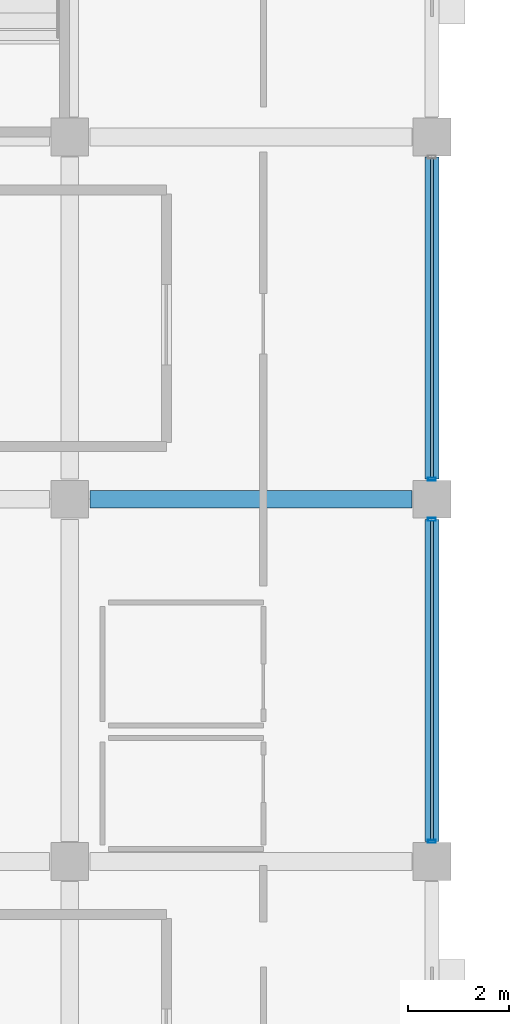
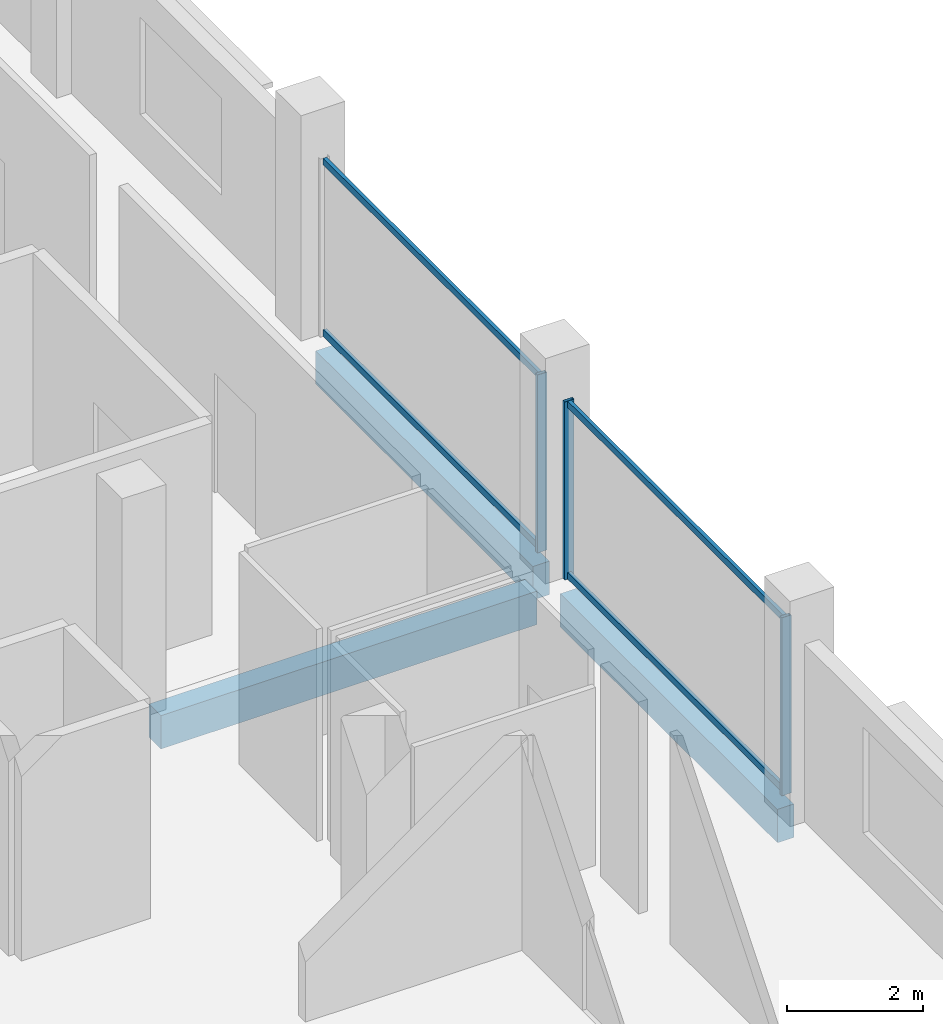
# One storey, part 10 of 91: 7 members, 3 beams, 2 elements without a shape of their own.
"""IFC4 building model written with IfcOpenShell, lengths in metres."""

from ifc_helpers import new_model, si_unit, direction, frame, origin, origin_2d, place, context, subcontext, project, spatial, rectangle, hollow_rectangle, extrude, material, layer, layer_set, material_profile, profile_set, type_object, element, aggregate, save


model = new_model("IFC4")

# Units and contexts
model_context = context("Model", 3, precision=1e-05, world=origin(), true_north=direction((0.0, 1.0)))
body_context = subcontext(model_context, "Body", "Model", "MODEL_VIEW")
ifc_project = project(units=[si_unit("LENGTHUNIT", "METRE"), si_unit("AREAUNIT", "SQUARE_METRE"), si_unit("VOLUMEUNIT", "CUBIC_METRE"), si_unit("PLANEANGLEUNIT", "RADIAN"), si_unit("MASSUNIT", "GRAM", prefix="KILO")], contexts=[model_context])

# Site, building, storey
site_placement = place(None, origin())
site = spatial("IfcSite", under=ifc_project, at=site_placement, CompositionType="ELEMENT")
building_placement = place(site_placement, origin())
building = spatial("IfcBuilding", under=site, at=building_placement, Name="Kangsadwip Square Police Headquarters", CompositionType="ELEMENT")
storey_placement = place(building_placement, frame((0.0, 0.0, 13.5)))
storey = spatial("IfcBuildingStorey", under=building, at=storey_placement, Name="L03", CompositionType="ELEMENT", Elevation=13.5)

# Curtain wall, members
ifc_material_1 = material(Name="Thermally broken anodised aluminium AW-6063-T6", Category="aluminium")
ifc_layer = layer(ifc_material_1, 0.159912109375)
ifc_layer_set = layer_set([ifc_layer], Name="Thermally broken anodised aluminium AW-6063-T6")
curtain_wall_type = type_object("IfcCurtainWallType", Name="CourtScreen6460x3200", PredefinedType="USERDEFINED", material=ifc_layer_set)
curtain_wall_1_placement = place(storey_placement, origin())
curtain_wall_1 = element("IfcCurtainWall", 1, at=curtain_wall_1_placement, inside=storey, type_object=curtain_wall_type, Name="Curtain Wall CW-L03-0216-0580", ObjectType="GLAZED_SCREEN", PredefinedType="USERDEFINED")
ifc_material_2 = material(Name="Thermally broken anodised aluminium AW-6063-T6", Category="aluminium")
ifc_material_profile_1 = material_profile(ifc_material_2, hollow_rectangle(XDim=0.06005859375, YDim=0.159912109375, WallThickness=0.00390625, at=origin_2d()), Name="CWM 160X60X4")
ifc_profile_set_1 = profile_set([ifc_material_profile_1], Name="Thermally broken anodised aluminium AW-6063-T6")
member_type_1 = type_object("IfcMemberType", Name="CwMullion135x60", PredefinedType="MULLION", material=ifc_profile_set_1)
member_1_placement = place(storey_placement, frame((21.60009765625, 58.0, 0.0), z_axis=(0.0, 0.0, 1.0), x_axis=(0.0, 1.0, 0.0)))
member_1 = element("IfcMember", 2, at=member_1_placement, type_object=member_type_1, Name="CW-16 mullion 1", PredefinedType="MULLION", context=body_context, shape_type="SweptSolid", body=[
    extrude(hollow_rectangle(XDim=0.06005859375, YDim=0.159912109375, WallThickness=0.00390625, at=origin_2d()), origin(), (0.0, 0.0, 1.0), 3.199951171875),
])
member_2_placement = place(storey_placement, frame((21.60009765625, 64.39990234375, 0.0), z_axis=(0.0, 0.0, 1.0), x_axis=(0.0, 1.0, 0.0)))
member_2 = element("IfcMember", 3, at=member_2_placement, type_object=member_type_1, Name="CW-16 mullion 2", PredefinedType="MULLION", context=body_context, shape_type="SweptSolid", body=[
    extrude(hollow_rectangle(XDim=0.06005859375, YDim=0.159912109375, WallThickness=0.00390625, at=origin_2d()), origin(), (0.0, 0.0, 1.0), 3.199951171875),
])

# Curtain wall, member
curtain_wall_2_placement = place(storey_placement, origin())
curtain_wall_2 = element("IfcCurtainWall", 4, at=curtain_wall_2_placement, inside=storey, type_object=curtain_wall_type, Name="Curtain Wall CW-L03-0216-0652", ObjectType="GLAZED_SCREEN", PredefinedType="USERDEFINED")
member_3_placement = place(storey_placement, frame((21.60009765625, 65.199951171875, 0.0), z_axis=(0.0, 0.0, 1.0), x_axis=(0.0, 1.0, 0.0)))
member_3 = element("IfcMember", 5, at=member_3_placement, type_object=member_type_1, Name="CW-16 mullion 1", PredefinedType="MULLION", context=body_context, shape_type="SweptSolid", body=[
    extrude(hollow_rectangle(XDim=0.06005859375, YDim=0.159912109375, WallThickness=0.00390625, at=origin_2d()), origin(), (0.0, 0.0, 1.0), 3.199951171875),
])

# Member
ifc_material_3 = material(Name="Thermally broken anodised aluminium AW-6063-T6", Category="aluminium")
ifc_material_profile_2 = material_profile(ifc_material_3, hollow_rectangle(XDim=0.06005859375, YDim=0.1201171875, WallThickness=0.00390625, at=origin_2d()), Name="CWT 120X60X4")
ifc_profile_set_2 = profile_set([ifc_material_profile_2], Name="Thermally broken anodised aluminium AW-6063-T6")
member_type_2 = type_object("IfcMemberType", Name="CwTransom120x55", PredefinedType="USERDEFINED", material=ifc_profile_set_2)
member_4_placement = place(storey_placement, frame((21.60009765625, 58.030029296875, 0.06005859375), z_axis=(0.0, 1.0, 0.0), x_axis=(-1.0, 0.0, 0.0)))
member_4 = element("IfcMember", 6, at=member_4_placement, type_object=member_type_2, Name="CW-16 transom 1.1", ObjectType="TRANSOM", PredefinedType="USERDEFINED", context=body_context, shape_type="SweptSolid", body=[
    extrude(hollow_rectangle(XDim=0.06005859375, YDim=0.1201171875, WallThickness=0.00390625, at=origin_2d()), origin(), (0.0, 0.0, 1.0), 6.340087890625),
])

member_5_placement = place(storey_placement, frame((21.60009765625, 58.030029296875, 3.139892578125), z_axis=(0.0, 1.0, 0.0), x_axis=(-1.0, 0.0, 0.0)))
member_5 = element("IfcMember", 7, at=member_5_placement, type_object=member_type_2, Name="CW-16 transom 1.2", ObjectType="TRANSOM", PredefinedType="USERDEFINED", context=body_context, shape_type="SweptSolid", body=[
    extrude(hollow_rectangle(XDim=0.06005859375, YDim=0.1201171875, WallThickness=0.00390625, at=origin_2d()), origin(), (0.0, 0.0, 1.0), 6.340087890625),
])

aggregate(curtain_wall_1, [member_1, member_2, member_4, member_5])

member_6_placement = place(storey_placement, frame((21.60009765625, 65.22998046875, 0.06005859375), z_axis=(0.0, 1.0, 0.0), x_axis=(-1.0, 0.0, 0.0)))
member_6 = element("IfcMember", 8, at=member_6_placement, type_object=member_type_2, Name="CW-16 transom 1.1", ObjectType="TRANSOM", PredefinedType="USERDEFINED", context=body_context, shape_type="SweptSolid", body=[
    extrude(hollow_rectangle(XDim=0.06005859375, YDim=0.1201171875, WallThickness=0.00390625, at=origin_2d()), origin(), (0.0, 0.0, 1.0), 6.340087890625),
])

member_7_placement = place(storey_placement, frame((21.60009765625, 65.22998046875, 3.139892578125), z_axis=(0.0, 1.0, 0.0), x_axis=(-1.0, 0.0, 0.0)))
member_7 = element("IfcMember", 9, at=member_7_placement, type_object=member_type_2, Name="CW-16 transom 1.2", ObjectType="TRANSOM", PredefinedType="USERDEFINED", context=body_context, shape_type="SweptSolid", body=[
    extrude(hollow_rectangle(XDim=0.06005859375, YDim=0.1201171875, WallThickness=0.00390625, at=origin_2d()), origin(), (0.0, 0.0, 1.0), 6.340087890625),
])

aggregate(curtain_wall_2, [member_3, member_6, member_7])

# Beams
ifc_material_4 = material(Name="Concrete M35 (35 MPa)", Category="concrete")
ifc_material_profile_3 = material_profile(ifc_material_4, rectangle(XDim=0.35009765625, YDim=0.60009765625, at=origin_2d()), Name="RC BM 600X350")
ifc_profile_set_3 = profile_set([ifc_material_profile_3], Name="Concrete M35 (35 MPa)")
beam_type_1 = type_object("IfcBeamType", Name="RcBeam600x350", PredefinedType="BEAM", material=ifc_profile_set_3)
beam_1_placement = place(storey_placement, frame((14.800048828125, 64.800048828125, -0.5400390625), z_axis=(1.0, 0.0, 0.0), x_axis=(0.0, 1.0, 0.0)))
element("IfcBeam", 10, at=beam_1_placement, inside=storey, type_object=beam_type_1, Name="Beam BM-L03-X-02-09", PredefinedType="BEAM", context=body_context, shape_type="SweptSolid", body=[
    extrude(rectangle(XDim=0.35009765625, YDim=0.60009765625, at=origin_2d()), origin(), (0.0, 0.0, 1.0), 6.39990234375),
])
ifc_material_5 = material(Name="Concrete M40 (40 MPa)", Category="concrete")
ifc_material_profile_4 = material_profile(ifc_material_5, rectangle(XDim=0.280029296875, YDim=0.60009765625, at=origin_2d()), Name="RC SPN 600X280")
ifc_profile_set_4 = profile_set([ifc_material_profile_4], Name="Concrete M40 (40 MPa)")
beam_type_2 = type_object("IfcBeamType", Name="RcSpandrel600x280", PredefinedType="SPANDREL", material=ifc_profile_set_4)
beam_2_placement = place(storey_placement, frame((21.60009765625, 58.0, -0.5400390625), z_axis=(0.0, 1.0, 0.0), x_axis=(-1.0, 0.0, 0.0)))
element("IfcBeam", 11, at=beam_2_placement, inside=storey, type_object=beam_type_2, Name="Beam BM-L03-Y-03-08", PredefinedType="SPANDREL", context=body_context, shape_type="SweptSolid", body=[
    extrude(rectangle(XDim=0.280029296875, YDim=0.60009765625, at=origin_2d()), origin(), (0.0, 0.0, 1.0), 6.39990234375),
])
beam_3_placement = place(storey_placement, frame((21.60009765625, 65.199951171875, -0.5400390625), z_axis=(0.0, 1.0, 0.0), x_axis=(-1.0, 0.0, 0.0)))
element("IfcBeam", 12, at=beam_3_placement, inside=storey, type_object=beam_type_2, Name="Beam BM-L03-Y-03-09", PredefinedType="SPANDREL", context=body_context, shape_type="SweptSolid", body=[
    extrude(rectangle(XDim=0.280029296875, YDim=0.60009765625, at=origin_2d()), origin(), (0.0, 0.0, 1.0), 6.400146484375),
])

save(model, "model.ifc")
